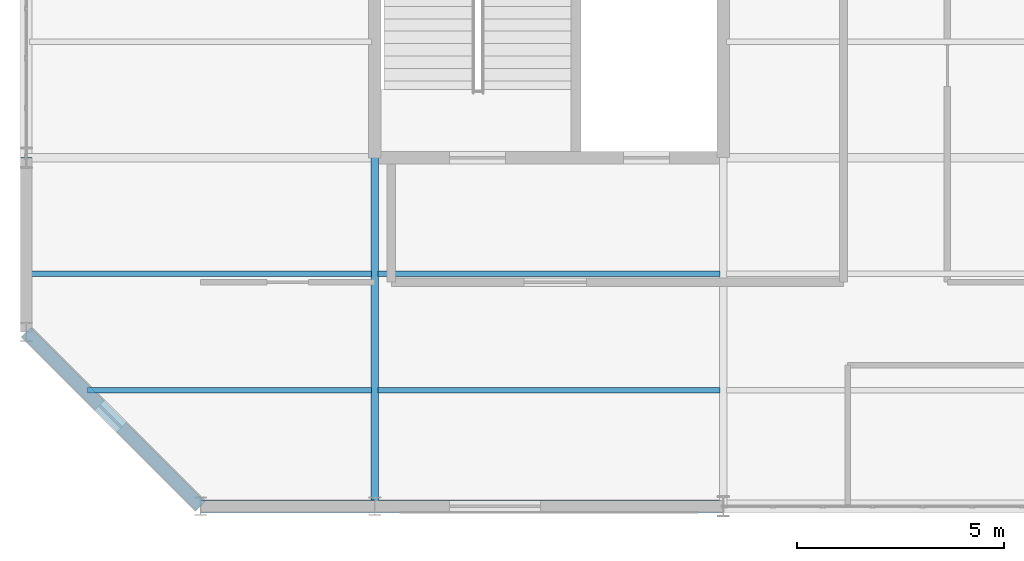
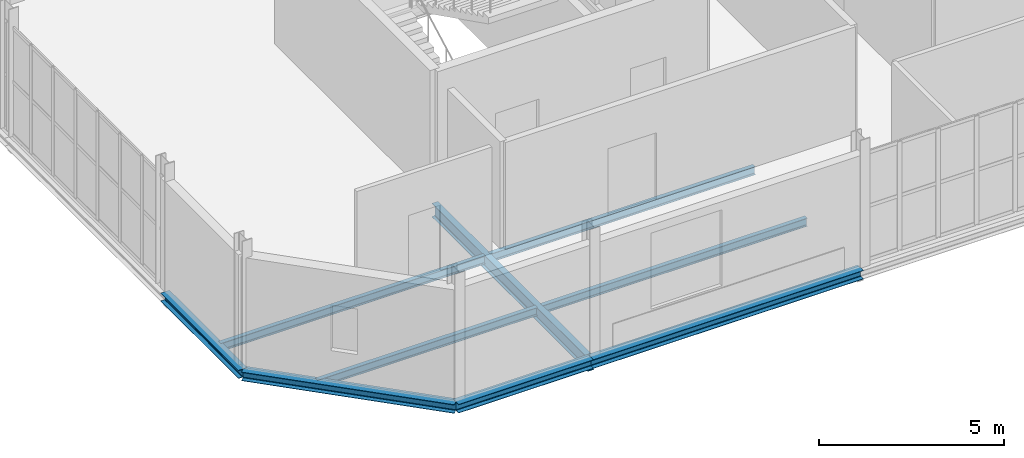
# One storey, part 15 of 69: 9 beams.
"""IFC4 building model written with IfcOpenShell, lengths in metres."""

from ifc_helpers import new_model, si_unit, direction, frame, origin, origin_2d, place, context, subcontext, project, spatial, i_section, extrude, material, material_profile, profile_set, type_object, element, save


model = new_model("IFC4")

# Units and contexts
model_context = context("Model", 3, precision=1e-05, world=origin(), true_north=direction((0.0, 1.0)))
body_context = subcontext(model_context, "Body", "Model", "MODEL_VIEW")
ifc_project = project(units=[si_unit("LENGTHUNIT", "METRE"), si_unit("AREAUNIT", "SQUARE_METRE"), si_unit("VOLUMEUNIT", "CUBIC_METRE"), si_unit("PLANEANGLEUNIT", "RADIAN"), si_unit("MASSUNIT", "GRAM", prefix="KILO")], contexts=[model_context])

# Site, building, storey
site_placement = place(None, origin())
site = spatial("IfcSite", under=ifc_project, at=site_placement, CompositionType="ELEMENT")
building_placement = place(site_placement, origin())
building = spatial("IfcBuilding", under=site, at=building_placement, Name="Qalvenar Corner Mobility Hub", CompositionType="ELEMENT")
storey_placement = place(building_placement, frame((0.0, 0.0, 13.199951171875)))
storey = spatial("IfcBuildingStorey", under=building, at=storey_placement, Name="L03", CompositionType="ELEMENT", Elevation=13.199951171875)

# Beams
ifc_material = material(Name="Steel S355", Category="steel")
ifc_material_profile_1 = material_profile(ifc_material, i_section(OverallWidth=0.18994140625, OverallDepth=0.449951171875, WebThickness=0.009521484375, FlangeThickness=0.0146484375, FilletRadius=0.02099609375, at=origin_2d()), Name="IPE450")
ifc_profile_set_1 = profile_set([ifc_material_profile_1], Name="Steel S355")
beam_type_1 = type_object("IfcBeamType", Name="BM-IPE450", PredefinedType="BEAM", material=ifc_profile_set_1)
beam_1_placement = place(storey_placement, frame((8.39990234375, 0.0, -0.405029296875), z_axis=(0.0, 1.0, 0.0), x_axis=(-1.0, 0.0, 0.0)))
element("IfcBeam", 1, at=beam_1_placement, inside=storey, type_object=beam_type_1, Name="Primary Steel Girder GY-2229", PredefinedType="BEAM", context=body_context, shape_type="SweptSolid", body=[
    extrude(i_section(OverallWidth=0.18994140625, OverallDepth=0.449951171875, WebThickness=0.009521484375, FlangeThickness=0.0146484375, FilletRadius=0.02099609375, at=origin_2d()), origin(), (0.0, 0.0, 1.0), 8.39990234375),
])
ifc_material_profile_2 = material_profile(ifc_material, i_section(OverallWidth=0.135009765625, OverallDepth=0.27001953125, WebThickness=0.006591796875, FlangeThickness=0.01025390625, FilletRadius=0.014892578125, at=origin_2d()), Name="IPE270")
ifc_profile_set_2 = profile_set([ifc_material_profile_2], Name="Steel S355")
beam_type_2 = type_object("IfcBeamType", Name="BM-JST270", PredefinedType="JOIST", material=ifc_profile_set_2)
beam_2_placement = place(storey_placement, frame((1.47802734375, 2.800048828125, -0.31494140625), z_axis=(1.0, 0.0, 0.0), x_axis=(0.0, 1.0, 0.0)))
element("IfcBeam", 2, at=beam_2_placement, inside=storey, type_object=beam_type_2, Name="Composite Floor Joist J-2260", PredefinedType="JOIST", context=body_context, shape_type="SweptSolid", body=[
    extrude(i_section(OverallWidth=0.135009765625, OverallDepth=0.27001953125, WebThickness=0.006591796875, FlangeThickness=0.01025390625, FilletRadius=0.014892578125, at=origin_2d()), origin(), (0.0, 0.0, 1.0), 6.843994140625),
])
beam_3_placement = place(storey_placement, frame((0.077880859375, 5.60009765625, -0.31494140625), z_axis=(1.0, 0.0, 0.0), x_axis=(0.0, 1.0, 0.0)))
element("IfcBeam", 3, at=beam_3_placement, inside=storey, type_object=beam_type_2, Name="Composite Floor Joist J-2261", PredefinedType="JOIST", context=body_context, shape_type="SweptSolid", body=[
    extrude(i_section(OverallWidth=0.135009765625, OverallDepth=0.27001953125, WebThickness=0.006591796875, FlangeThickness=0.01025390625, FilletRadius=0.014892578125, at=origin_2d()), origin(), (0.0, 0.0, 1.0), 8.244140625),
])
for number, where, z_axis, x_axis, name in (
    (4, (8.47802734375, 2.800048828125, -0.31494140625), (1.0, 0.0, 0.0), (0.0, 1.0, 0.0), "Composite Floor Joist J-2270"),
    (5, (8.47802734375, 5.60009765625, -0.31494140625), (1.0, 0.0, 0.0), (0.0, 1.0, 0.0), "Composite Floor Joist J-2271"),
):
    element("IfcBeam", number, at=place(storey_placement, frame(where, z_axis=z_axis, x_axis=x_axis)), inside=storey, type_object=beam_type_2, Name=name, PredefinedType="JOIST", context=body_context, shape_type="SweptSolid", body=[
        extrude(i_section(OverallWidth=0.135009765625, OverallDepth=0.27001953125, WebThickness=0.006591796875, FlangeThickness=0.01025390625, FilletRadius=0.014892578125, at=origin_2d()), origin(), (0.0, 0.0, 1.0), 8.243896484375),
    ])
ifc_material_profile_3 = material_profile(ifc_material, i_section(OverallWidth=0.280029296875, OverallDepth=0.27001953125, WebThickness=0.008056640625, FlangeThickness=0.012939453125, FilletRadius=0.02392578125, at=origin_2d()), Name="HEA280")
ifc_profile_set_3 = profile_set([ifc_material_profile_3], Name="Steel S355")
beam_type_3 = type_object("IfcBeamType", Name="BM-SPN280", PredefinedType="SPANDREL", material=ifc_profile_set_3)
beam_4_placement = place(storey_placement, frame((0.0, 4.199951171875, -0.31494140625), z_axis=(0.0, 1.0, 0.0), x_axis=(-1.0, 0.0, 0.0)))
element("IfcBeam", 6, at=beam_4_placement, inside=storey, type_object=beam_type_3, Name="Primary Steel Girder GY-2224", PredefinedType="SPANDREL", context=body_context, shape_type="SweptSolid", body=[
    extrude(i_section(OverallWidth=0.280029296875, OverallDepth=0.27001953125, WebThickness=0.008056640625, FlangeThickness=0.012939453125, FilletRadius=0.02392578125, at=origin_2d()), origin(), (0.0, 0.0, 1.0), 4.199951171875),
])
ifc_material_profile_4 = material_profile(ifc_material, i_section(OverallWidth=0.300048828125, OverallDepth=0.2900390625, WebThickness=0.008544921875, FlangeThickness=0.013916015625, FilletRadius=0.027099609375, at=origin_2d()), Name="HEA300")
ifc_profile_set_4 = profile_set([ifc_material_profile_4], Name="Steel S355")
beam_type_4 = type_object("IfcBeamType", Name="BM-SPN300", PredefinedType="SPANDREL", material=ifc_profile_set_4)
beam_5_placement = place(storey_placement, frame((4.199951171875, 0.0, -0.324951171875), z_axis=(1.0, 0.0, 0.0), x_axis=(0.0, 1.0, 0.0)))
element("IfcBeam", 7, at=beam_5_placement, inside=storey, type_object=beam_type_4, Name="Primary Steel Girder GX-2188", PredefinedType="SPANDREL", context=body_context, shape_type="SweptSolid", body=[
    extrude(i_section(OverallWidth=0.300048828125, OverallDepth=0.2900390625, WebThickness=0.008544921875, FlangeThickness=0.013916015625, FilletRadius=0.027099609375, at=origin_2d()), origin(), (0.0, 0.0, 1.0), 4.199951171875),
])
beam_6_placement = place(storey_placement, frame((8.39990234375, 0.0, -0.324951171875), z_axis=(1.0, 0.0, 0.0), x_axis=(0.0, 1.0, 0.0)))
element("IfcBeam", 8, at=beam_6_placement, inside=storey, type_object=beam_type_4, Name="Primary Steel Girder GX-2189", PredefinedType="SPANDREL", context=body_context, shape_type="SweptSolid", body=[
    extrude(i_section(OverallWidth=0.300048828125, OverallDepth=0.2900390625, WebThickness=0.008544921875, FlangeThickness=0.013916015625, FilletRadius=0.027099609375, at=origin_2d()), origin(), (0.0, 0.0, 1.0), 8.400146484375),
])
beam_7_placement = place(storey_placement, frame((4.199951171875, 0.0, -0.324951171875), z_axis=(-0.707106781187, 0.707106781187, 0.0), x_axis=(-0.707106781187, -0.707106781187, 0.0)))
element("IfcBeam", 9, at=beam_7_placement, inside=storey, type_object=beam_type_4, Name="Corner Splay Spandrel Girder GSPL-2259", PredefinedType="SPANDREL", context=body_context, shape_type="SweptSolid", body=[
    extrude(i_section(OverallWidth=0.300048828125, OverallDepth=0.2900390625, WebThickness=0.008544921875, FlangeThickness=0.013916015625, FilletRadius=0.027099609375, at=origin_2d()), origin(), (0.0, 0.0, 1.0), 5.939697265625),
])

save(model, "model.ifc")
